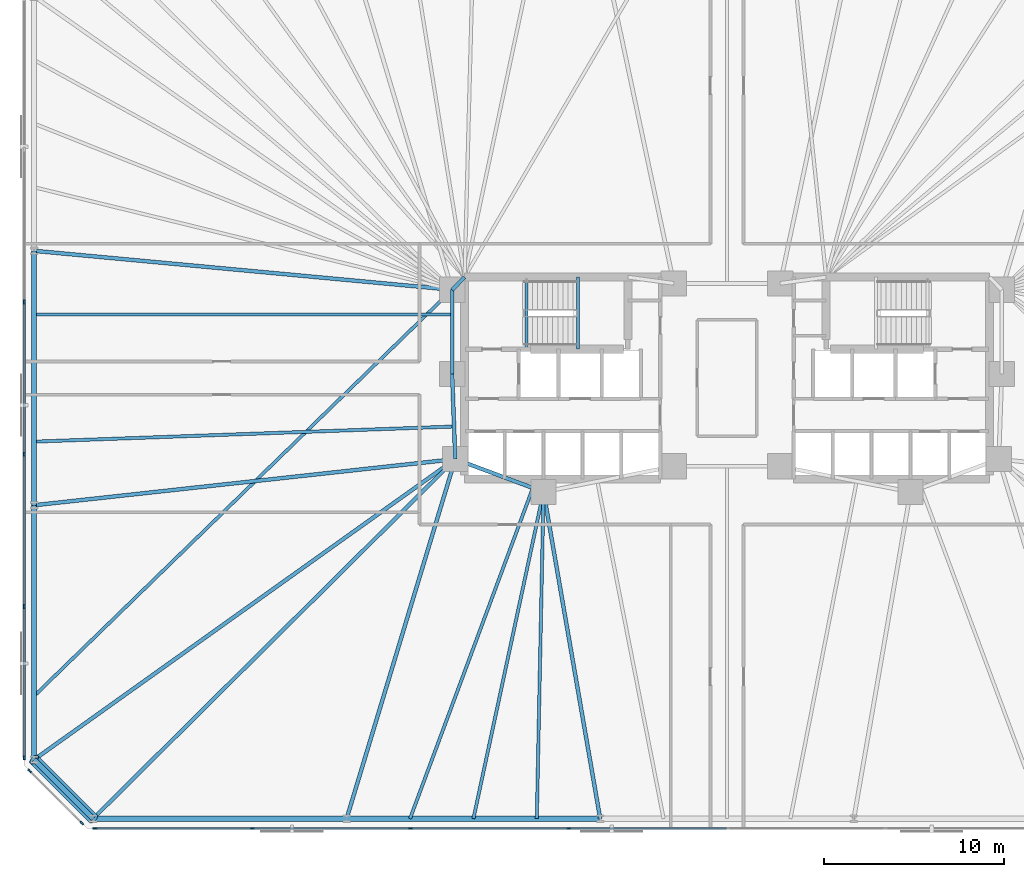
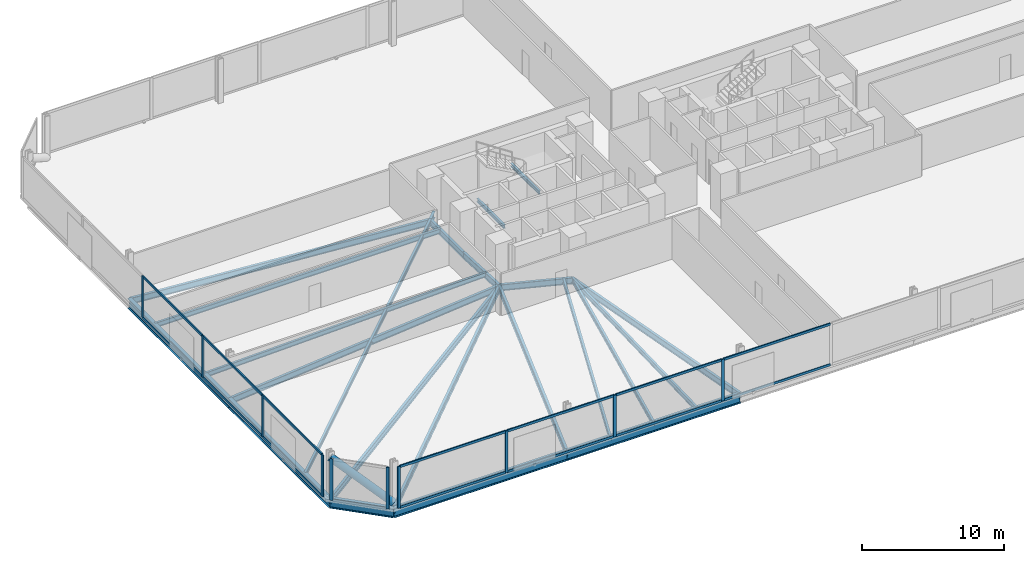
# One storey, part 6 of 16: 25 members, 23 beams, 3 elements without a shape of their own.
"""IFC4 building model written with IfcOpenShell, lengths in metres."""

from ifc_helpers import new_model, si_unit, direction, frame, origin, origin_2d, place, context, subcontext, project, spatial, rectangle, hollow_circle, i_section, extrude, material, material_profile, profile_set, type_object, element, aggregate, save


model = new_model("IFC4")

# Units and contexts
model_context = context("Model", 3, precision=1e-05, world=origin(), true_north=direction((0.0, 1.0)))
body_context = subcontext(model_context, "Body", "Model", "MODEL_VIEW")
ifc_project = project(units=[si_unit("LENGTHUNIT", "METRE"), si_unit("AREAUNIT", "SQUARE_METRE"), si_unit("VOLUMEUNIT", "CUBIC_METRE"), si_unit("PLANEANGLEUNIT", "RADIAN"), si_unit("MASSUNIT", "GRAM", prefix="KILO")], contexts=[model_context])

# Site, building, storey
site_placement = place(None, origin())
site = spatial("IfcSite", under=ifc_project, at=site_placement, CompositionType="ELEMENT")
building_placement = place(site_placement, origin())
building = spatial("IfcBuilding", under=site, at=building_placement, Name="Menara Jurai Vektor", CompositionType="ELEMENT")
storey_placement = place(building_placement, frame((0.0, 0.0, 40.800048828125)))
storey = spatial("IfcBuildingStorey", under=building, at=storey_placement, Name="L09", CompositionType="ELEMENT", Elevation=40.800048828125)

# Curtain wall, members
ifc_material_1 = material(Name="Anodised Pale Aluminium & Low-E Double Glazing", Category="aluminium")
curtain_wall_type = type_object("IfcCurtainWallType", Name="CW-BLK1", PredefinedType="NOTDEFINED", material=ifc_material_1)
curtain_wall_1_placement = place(storey_placement, origin())
curtain_wall_1 = element("IfcCurtainWall", 1, at=curtain_wall_1_placement, inside=storey, type_object=curtain_wall_type, Name="Unitised Curtain Wall L09 F01", PredefinedType="NOTDEFINED")
ifc_material_2 = material(Name="Anodised Pale Aluminium Mullion", Category="aluminium")
ifc_material_profile_1 = material_profile(ifc_material_2, rectangle(XDim=0.094970703125, YDim=0.239990234375, at=origin_2d()), Name="ALU MUL 95x240")
ifc_profile_set_1 = profile_set([ifc_material_profile_1], Name="Anodised Pale Aluminium Mullion")
member_type_1 = type_object("IfcMemberType", Name="CW-BLK1-MUL", PredefinedType="MULLION", material=ifc_profile_set_1)
member_1_placement = place(storey_placement, frame((-35.072509765625, -25.0, 0.0), z_axis=(0.0, 0.0, 1.0), x_axis=(0.0, 1.0, 0.0)))
member_1 = element("IfcMember", 2, at=member_1_placement, type_object=member_type_1, Name="CW-01 mullion 1", PredefinedType="MULLION", context=body_context, shape_type="SweptSolid", body=[
    extrude(rectangle(XDim=0.094970703125, YDim=0.239990234375, at=origin_2d()), origin(), (0.0, 0.0, 1.0), 3.574951171875),
])
member_2_placement = place(storey_placement, frame((-26.340087890625, -25.0, 0.0), z_axis=(0.0, 0.0, 1.0), x_axis=(0.0, 1.0, 0.0)))
member_2 = element("IfcMember", 3, at=member_2_placement, type_object=member_type_1, Name="CW-01 mullion 2", PredefinedType="MULLION", context=body_context, shape_type="SweptSolid", body=[
    extrude(rectangle(XDim=0.094970703125, YDim=0.239990234375, at=origin_2d()), origin(), (0.0, 0.0, 1.0), 3.574951171875),
])
member_3_placement = place(storey_placement, frame((-17.56005859375, -25.0, 0.0), z_axis=(0.0, 0.0, 1.0), x_axis=(0.0, 1.0, 0.0)))
member_3 = element("IfcMember", 4, at=member_3_placement, type_object=member_type_1, Name="CW-01 mullion 3", PredefinedType="MULLION", context=body_context, shape_type="SweptSolid", body=[
    extrude(rectangle(XDim=0.094970703125, YDim=0.239990234375, at=origin_2d()), origin(), (0.0, 0.0, 1.0), 3.574951171875),
])
member_4_placement = place(storey_placement, frame((-8.780029296875, -25.0, 0.0), z_axis=(0.0, 0.0, 1.0), x_axis=(0.0, 1.0, 0.0)))
member_4 = element("IfcMember", 5, at=member_4_placement, type_object=member_type_1, Name="CW-01 mullion 4", PredefinedType="MULLION", context=body_context, shape_type="SweptSolid", body=[
    extrude(rectangle(XDim=0.094970703125, YDim=0.239990234375, at=origin_2d()), origin(), (0.0, 0.0, 1.0), 3.574951171875),
])

curtain_wall_2_placement = place(storey_placement, origin())
curtain_wall_2 = element("IfcCurtainWall", 6, at=curtain_wall_2_placement, inside=storey, type_object=curtain_wall_type, Name="Unitised Curtain Wall L09 F07", PredefinedType="NOTDEFINED")
member_5_placement = place(storey_placement, frame((-39.0, 4.22412109375, 0.0), z_axis=(0.0, 0.0, 1.0), x_axis=(1.0, 0.0, 0.0)))
member_5 = element("IfcMember", 7, at=member_5_placement, type_object=member_type_1, Name="CW-01 mullion 3", PredefinedType="MULLION", context=body_context, shape_type="SweptSolid", body=[
    extrude(rectangle(XDim=0.094970703125, YDim=0.239990234375, at=origin_2d()), origin(), (0.0, 0.0, 1.0), 3.574951171875),
])
member_6_placement = place(storey_placement, frame((-39.0, -4.22412109375, 0.0), z_axis=(0.0, 0.0, 1.0), x_axis=(1.0, 0.0, 0.0)))
member_6 = element("IfcMember", 8, at=member_6_placement, type_object=member_type_1, Name="CW-01 mullion 4", PredefinedType="MULLION", context=body_context, shape_type="SweptSolid", body=[
    extrude(rectangle(XDim=0.094970703125, YDim=0.239990234375, at=origin_2d()), origin(), (0.0, 0.0, 1.0), 3.574951171875),
])
member_7_placement = place(storey_placement, frame((-39.0, -12.672119140625, 0.0), z_axis=(0.0, 0.0, 1.0), x_axis=(1.0, 0.0, 0.0)))
member_7 = element("IfcMember", 9, at=member_7_placement, type_object=member_type_1, Name="CW-01 mullion 5", PredefinedType="MULLION", context=body_context, shape_type="SweptSolid", body=[
    extrude(rectangle(XDim=0.094970703125, YDim=0.239990234375, at=origin_2d()), origin(), (0.0, 0.0, 1.0), 3.574951171875),
])
member_8_placement = place(storey_placement, frame((-39.0, -21.072509765625, 0.0), z_axis=(0.0, 0.0, 1.0), x_axis=(1.0, 0.0, 0.0)))
member_8 = element("IfcMember", 10, at=member_8_placement, type_object=member_type_1, Name="CW-01 mullion 6", PredefinedType="MULLION", context=body_context, shape_type="SweptSolid", body=[
    extrude(rectangle(XDim=0.094970703125, YDim=0.239990234375, at=origin_2d()), origin(), (0.0, 0.0, 1.0), 3.574951171875),
])

curtain_wall_3_placement = place(storey_placement, origin())
curtain_wall_3 = element("IfcCurtainWall", 11, at=curtain_wall_3_placement, inside=storey, type_object=curtain_wall_type, Name="Unitised Curtain Wall L09 F08", PredefinedType="NOTDEFINED")
member_9_placement = place(storey_placement, frame((-38.69775390625, -21.80224609375, 0.0), z_axis=(0.0, 0.0, 1.0), x_axis=(0.707106781187, 0.707106781187, 0.0)))
member_9 = element("IfcMember", 12, at=member_9_placement, type_object=member_type_1, Name="CW-01 mullion 1", PredefinedType="MULLION", context=body_context, shape_type="SweptSolid", body=[
    extrude(rectangle(XDim=0.094970703125, YDim=0.239990234375, at=origin_2d()), origin(), (0.0, 0.0, 1.0), 3.574951171875),
])
member_10_placement = place(storey_placement, frame((-35.80224609375, -24.69775390625, 0.0), z_axis=(0.0, 0.0, 1.0), x_axis=(0.707106781187, 0.707106781187, 0.0)))
member_10 = element("IfcMember", 13, at=member_10_placement, type_object=member_type_1, Name="CW-01 mullion 2", PredefinedType="MULLION", context=body_context, shape_type="SweptSolid", body=[
    extrude(rectangle(XDim=0.094970703125, YDim=0.239990234375, at=origin_2d()), origin(), (0.0, 0.0, 1.0), 3.574951171875),
])
aggregate(curtain_wall_3, [member_9, member_10])

# Member
ifc_material_3 = material(Name="Anodised Pale Aluminium Transom", Category="aluminium")
ifc_material_profile_2 = material_profile(ifc_material_3, rectangle(XDim=0.094970703125, YDim=0.199951171875, at=origin_2d()), Name="ALU TRN 95x200")
ifc_profile_set_2 = profile_set([ifc_material_profile_2], Name="Anodised Pale Aluminium Transom")
member_type_2 = type_object("IfcMemberType", Name="CW-BLK1-TRN", PredefinedType="USERDEFINED", material=ifc_profile_set_2)
member_11_placement = place(storey_placement, frame((-35.02490234375, -25.0, 0.04736328125), z_axis=(1.0, 0.0, 0.0), x_axis=(0.0, 1.0, 0.0)))
member_11 = element("IfcMember", 14, at=member_11_placement, type_object=member_type_2, Name="CW-01 transom 1.1", ObjectType="TRANSOM", PredefinedType="USERDEFINED", context=body_context, shape_type="SweptSolid", body=[
    extrude(rectangle(XDim=0.094970703125, YDim=0.199951171875, at=origin_2d()), origin(), (0.0, 0.0, 1.0), 8.637451171875),
])

member_12_placement = place(storey_placement, frame((-35.02490234375, -25.0, 3.52734375), z_axis=(1.0, 0.0, 0.0), x_axis=(0.0, 1.0, 0.0)))
member_12 = element("IfcMember", 15, at=member_12_placement, type_object=member_type_2, Name="CW-01 transom 1.2", ObjectType="TRANSOM", PredefinedType="USERDEFINED", context=body_context, shape_type="SweptSolid", body=[
    extrude(rectangle(XDim=0.094970703125, YDim=0.199951171875, at=origin_2d()), origin(), (0.0, 0.0, 1.0), 8.637451171875),
])

member_13_placement = place(storey_placement, frame((-26.29248046875, -25.0, 0.04736328125), z_axis=(1.0, 0.0, 0.0), x_axis=(0.0, 1.0, 0.0)))
member_13 = element("IfcMember", 16, at=member_13_placement, type_object=member_type_2, Name="CW-01 transom 2.1", ObjectType="TRANSOM", PredefinedType="USERDEFINED", context=body_context, shape_type="SweptSolid", body=[
    extrude(rectangle(XDim=0.094970703125, YDim=0.199951171875, at=origin_2d()), origin(), (0.0, 0.0, 1.0), 8.68505859375),
])

member_14_placement = place(storey_placement, frame((-26.29248046875, -25.0, 3.52734375), z_axis=(1.0, 0.0, 0.0), x_axis=(0.0, 1.0, 0.0)))
member_14 = element("IfcMember", 17, at=member_14_placement, type_object=member_type_2, Name="CW-01 transom 2.2", ObjectType="TRANSOM", PredefinedType="USERDEFINED", context=body_context, shape_type="SweptSolid", body=[
    extrude(rectangle(XDim=0.094970703125, YDim=0.199951171875, at=origin_2d()), origin(), (0.0, 0.0, 1.0), 8.68505859375),
])

member_15_placement = place(storey_placement, frame((-17.512451171875, -25.0, 0.04736328125), z_axis=(1.0, 0.0, 0.0), x_axis=(0.0, 1.0, 0.0)))
member_15 = element("IfcMember", 18, at=member_15_placement, type_object=member_type_2, Name="CW-01 transom 3.1", ObjectType="TRANSOM", PredefinedType="USERDEFINED", context=body_context, shape_type="SweptSolid", body=[
    extrude(rectangle(XDim=0.094970703125, YDim=0.199951171875, at=origin_2d()), origin(), (0.0, 0.0, 1.0), 8.68505859375),
])

member_16_placement = place(storey_placement, frame((-17.512451171875, -25.0, 3.52734375), z_axis=(1.0, 0.0, 0.0), x_axis=(0.0, 1.0, 0.0)))
member_16 = element("IfcMember", 19, at=member_16_placement, type_object=member_type_2, Name="CW-01 transom 3.2", ObjectType="TRANSOM", PredefinedType="USERDEFINED", context=body_context, shape_type="SweptSolid", body=[
    extrude(rectangle(XDim=0.094970703125, YDim=0.199951171875, at=origin_2d()), origin(), (0.0, 0.0, 1.0), 8.68505859375),
])

member_17_placement = place(storey_placement, frame((-8.732421875, -25.0, 0.04736328125), z_axis=(1.0, 0.0, 0.0), x_axis=(0.0, 1.0, 0.0)))
member_17 = element("IfcMember", 20, at=member_17_placement, type_object=member_type_2, Name="CW-01 transom 4.1", ObjectType="TRANSOM", PredefinedType="USERDEFINED", context=body_context, shape_type="SweptSolid", body=[
    extrude(rectangle(XDim=0.094970703125, YDim=0.199951171875, at=origin_2d()), origin(), (0.0, 0.0, 1.0), 8.684814453125),
])

member_18_placement = place(storey_placement, frame((-8.732421875, -25.0, 3.52734375), z_axis=(1.0, 0.0, 0.0), x_axis=(0.0, 1.0, 0.0)))
member_18 = element("IfcMember", 21, at=member_18_placement, type_object=member_type_2, Name="CW-01 transom 4.2", ObjectType="TRANSOM", PredefinedType="USERDEFINED", context=body_context, shape_type="SweptSolid", body=[
    extrude(rectangle(XDim=0.094970703125, YDim=0.199951171875, at=origin_2d()), origin(), (0.0, 0.0, 1.0), 8.684814453125),
])

aggregate(curtain_wall_1, [member_1, member_2, member_3, member_4, member_11, member_12, member_13, member_14, member_15, member_16, member_17, member_18])

member_19_placement = place(storey_placement, frame((-39.0, 4.176513671875, 0.04736328125), z_axis=(0.0, -1.0, 0.0), x_axis=(1.0, 0.0, 0.0)))
member_19 = element("IfcMember", 22, at=member_19_placement, type_object=member_type_2, Name="CW-01 transom 3.1", ObjectType="TRANSOM", PredefinedType="USERDEFINED", context=body_context, shape_type="SweptSolid", body=[
    extrude(rectangle(XDim=0.094970703125, YDim=0.199951171875, at=origin_2d()), origin(), (0.0, 0.0, 1.0), 8.35302734375),
])

member_20_placement = place(storey_placement, frame((-39.0, 4.176513671875, 3.52734375), z_axis=(0.0, -1.0, 0.0), x_axis=(1.0, 0.0, 0.0)))
member_20 = element("IfcMember", 23, at=member_20_placement, type_object=member_type_2, Name="CW-01 transom 3.2", ObjectType="TRANSOM", PredefinedType="USERDEFINED", context=body_context, shape_type="SweptSolid", body=[
    extrude(rectangle(XDim=0.094970703125, YDim=0.199951171875, at=origin_2d()), origin(), (0.0, 0.0, 1.0), 8.35302734375),
])

member_21_placement = place(storey_placement, frame((-39.0, -4.271484375, 0.04736328125), z_axis=(0.0, -1.0, 0.0), x_axis=(1.0, 0.0, 0.0)))
member_21 = element("IfcMember", 24, at=member_21_placement, type_object=member_type_2, Name="CW-01 transom 4.1", ObjectType="TRANSOM", PredefinedType="USERDEFINED", context=body_context, shape_type="SweptSolid", body=[
    extrude(rectangle(XDim=0.094970703125, YDim=0.199951171875, at=origin_2d()), origin(), (0.0, 0.0, 1.0), 8.35302734375),
])

member_22_placement = place(storey_placement, frame((-39.0, -4.271484375, 3.52734375), z_axis=(0.0, -1.0, 0.0), x_axis=(1.0, 0.0, 0.0)))
member_22 = element("IfcMember", 25, at=member_22_placement, type_object=member_type_2, Name="CW-01 transom 4.2", ObjectType="TRANSOM", PredefinedType="USERDEFINED", context=body_context, shape_type="SweptSolid", body=[
    extrude(rectangle(XDim=0.094970703125, YDim=0.199951171875, at=origin_2d()), origin(), (0.0, 0.0, 1.0), 8.35302734375),
])

member_23_placement = place(storey_placement, frame((-39.0, -12.719482421875, 0.04736328125), z_axis=(0.0, -1.0, 0.0), x_axis=(1.0, 0.0, 0.0)))
member_23 = element("IfcMember", 26, at=member_23_placement, type_object=member_type_2, Name="CW-01 transom 5.1", ObjectType="TRANSOM", PredefinedType="USERDEFINED", context=body_context, shape_type="SweptSolid", body=[
    extrude(rectangle(XDim=0.094970703125, YDim=0.199951171875, at=origin_2d()), origin(), (0.0, 0.0, 1.0), 8.305419921875),
])

member_24_placement = place(storey_placement, frame((-39.0, -12.719482421875, 3.52734375), z_axis=(0.0, -1.0, 0.0), x_axis=(1.0, 0.0, 0.0)))
member_24 = element("IfcMember", 27, at=member_24_placement, type_object=member_type_2, Name="CW-01 transom 5.2", ObjectType="TRANSOM", PredefinedType="USERDEFINED", context=body_context, shape_type="SweptSolid", body=[
    extrude(rectangle(XDim=0.094970703125, YDim=0.199951171875, at=origin_2d()), origin(), (0.0, 0.0, 1.0), 8.305419921875),
])

aggregate(curtain_wall_2, [member_5, member_6, member_7, member_8, member_19, member_20, member_21, member_22, member_23, member_24])

# Beams
ifc_material_4 = material(Name="Steel S355", Category="steel")
ifc_material_profile_3 = material_profile(ifc_material_4, i_section(OverallWidth=0.2109375, OverallDepth=0.5390625, WebThickness=0.011962890625, FlangeThickness=0.01904296875, FilletRadius=0.012939453125, at=origin_2d()), Name="UKB 533x210x109")
ifc_profile_set_3 = profile_set([ifc_material_profile_3], Name="Steel S355")
beam_type_1 = type_object("IfcBeamType", Name="STR-BM-533", PredefinedType="BEAM", material=ifc_profile_set_3)
beam_1_placement = place(storey_placement, frame((-15.25, 4.89990234375, -0.49462890625), z_axis=(0.701871936926, 0.712303154672, 0.0), x_axis=(-0.712303154672, 0.701871936926, 0.0)))
element("IfcBeam", 28, at=beam_1_placement, inside=storey, type_object=beam_type_1, Name="Core Ring Header Girder L09-CHW-N1", PredefinedType="BEAM", context=body_context, shape_type="SweptSolid", body=[
    extrude(i_section(OverallWidth=0.2109375, OverallDepth=0.5390625, WebThickness=0.011962890625, FlangeThickness=0.01904296875, FilletRadius=0.012939453125, at=origin_2d()), origin(), (0.0, 0.0, 1.0), 0.98291015625),
])
beam_2_placement = place(storey_placement, frame((-15.25, 0.219970703125, -0.49462890625), z_axis=(0.0, 1.0, 0.0), x_axis=(-1.0, 0.0, 0.0)))
element("IfcBeam", 29, at=beam_2_placement, inside=storey, type_object=beam_type_1, Name="Core Ring Header Girder L09-CHW-W1", PredefinedType="BEAM", context=body_context, shape_type="SweptSolid", body=[
    extrude(i_section(OverallWidth=0.2109375, OverallDepth=0.5390625, WebThickness=0.011962890625, FlangeThickness=0.01904296875, FilletRadius=0.012939453125, at=origin_2d()), origin(), (0.0, 0.0, 1.0), 4.679931640625),
])
beam_3_placement = place(storey_placement, frame((-15.080078125, -4.5, -0.49462890625), z_axis=(-0.035977314146, 0.999352606874, 0.0), x_axis=(-0.999352606874, -0.035977314146, 0.0)))
element("IfcBeam", 30, at=beam_3_placement, inside=storey, type_object=beam_type_1, Name="Core Ring Header Girder L09-CHW-W2", PredefinedType="BEAM", context=body_context, shape_type="SweptSolid", body=[
    extrude(i_section(OverallWidth=0.2109375, OverallDepth=0.5390625, WebThickness=0.011962890625, FlangeThickness=0.01904296875, FilletRadius=0.012939453125, at=origin_2d()), origin(), (0.0, 0.0, 1.0), 4.72314453125),
])
beam_4_placement = place(storey_placement, frame((-15.080078125, -4.5, -0.49462890625), z_axis=(0.937424400887, -0.348188874925, 0.0), x_axis=(0.348188874925, 0.937424400887, 0.0)))
element("IfcBeam", 31, at=beam_4_placement, inside=storey, type_object=beam_type_1, Name="Core Ring Header Girder L09-CHW-S1", PredefinedType="BEAM", context=body_context, shape_type="SweptSolid", body=[
    extrude(i_section(OverallWidth=0.2109375, OverallDepth=0.5390625, WebThickness=0.011962890625, FlangeThickness=0.01904296875, FilletRadius=0.012939453125, at=origin_2d()), origin(), (0.0, 0.0, 1.0), 5.227294921875),
])
beam_5_placement = place(storey_placement, frame((-35.177734375, -24.449951171875, -0.49462890625), z_axis=(0.709709931659, 0.704494011972, 0.0), x_axis=(-0.704494011972, 0.709709931659, 0.0)))
element("IfcBeam", 32, at=beam_5_placement, inside=storey, type_object=beam_type_1, Name="Radial Floor Girder L09-S1", PredefinedType="BEAM", context=body_context, shape_type="SweptSolid", body=[
    extrude(i_section(OverallWidth=0.2109375, OverallDepth=0.5390625, WebThickness=0.011962890625, FlangeThickness=0.01904296875, FilletRadius=0.012939453125, at=origin_2d()), origin(), (0.0, 0.0, 1.0), 28.318115234375),
])
beam_6_placement = place(storey_placement, frame((-21.106689453125, -24.449951171875, -0.49462890625), z_axis=(0.289179812203, 0.957274796604, 0.0), x_axis=(-0.957274796604, 0.289179812203, 0.0)))
element("IfcBeam", 33, at=beam_6_placement, inside=storey, type_object=beam_type_1, Name="Radial Floor Girder L09-S2", PredefinedType="BEAM", context=body_context, shape_type="SweptSolid", body=[
    extrude(i_section(OverallWidth=0.2109375, OverallDepth=0.5390625, WebThickness=0.011962890625, FlangeThickness=0.01904296875, FilletRadius=0.012939453125, at=origin_2d()), origin(), (0.0, 0.0, 1.0), 20.84033203125),
])
beam_7_placement = place(storey_placement, frame((-7.03564453125, -24.449951171875, -0.49462890625), z_axis=(-0.170880325642, 0.985291791455, 0.0), x_axis=(-0.985291791455, -0.170880325642, 0.0)))
element("IfcBeam", 34, at=beam_7_placement, inside=storey, type_object=beam_type_1, Name="Radial Floor Girder L09-S3", PredefinedType="BEAM", context=body_context, shape_type="SweptSolid", body=[
    extrude(i_section(OverallWidth=0.2109375, OverallDepth=0.5390625, WebThickness=0.011962890625, FlangeThickness=0.01904296875, FilletRadius=0.012939453125, at=origin_2d()), origin(), (0.0, 0.0, 1.0), 18.400634765625),
])
beam_8_placement = place(storey_placement, frame((-38.449951171875, 7.059326171875, -0.49462890625), z_axis=(0.995696113112, -0.092678208514, 0.0), x_axis=(0.092678208514, 0.995696113112, 0.0)))
element("IfcBeam", 35, at=beam_8_placement, inside=storey, type_object=beam_type_1, Name="Radial Floor Girder L09-W2", PredefinedType="BEAM", context=body_context, shape_type="SweptSolid", body=[
    extrude(i_section(OverallWidth=0.2109375, OverallDepth=0.5390625, WebThickness=0.011962890625, FlangeThickness=0.01904296875, FilletRadius=0.012939453125, at=origin_2d()), origin(), (0.0, 0.0, 1.0), 23.30029296875),
])
beam_9_placement = place(storey_placement, frame((-38.449951171875, -7.059326171875, -0.49462890625), z_axis=(0.994056757953, 0.108863042253, 0.0), x_axis=(-0.108863042253, 0.994056757953, 0.0)))
element("IfcBeam", 36, at=beam_9_placement, inside=storey, type_object=beam_type_1, Name="Radial Floor Girder L09-W3", PredefinedType="BEAM", context=body_context, shape_type="SweptSolid", body=[
    extrude(i_section(OverallWidth=0.2109375, OverallDepth=0.5390625, WebThickness=0.011962890625, FlangeThickness=0.01904296875, FilletRadius=0.012939453125, at=origin_2d()), origin(), (0.0, 0.0, 1.0), 23.509521484375),
])
beam_10_placement = place(storey_placement, frame((-38.449951171875, -21.177734375, -0.49462890625), z_axis=(0.813981033216, 0.580891450759, 0.0), x_axis=(-0.580891450759, 0.813981033216, 0.0)))
element("IfcBeam", 37, at=beam_10_placement, inside=storey, type_object=beam_type_1, Name="Radial Floor Girder L09-W4", PredefinedType="BEAM", context=body_context, shape_type="SweptSolid", body=[
    extrude(i_section(OverallWidth=0.2109375, OverallDepth=0.5390625, WebThickness=0.011962890625, FlangeThickness=0.01904296875, FilletRadius=0.012939453125, at=origin_2d()), origin(), (0.0, 0.0, 1.0), 28.710693359375),
])

# Member
ifc_material_5 = material(Name="Steel S460", Category="steel")
ifc_material_profile_4 = material_profile(ifc_material_5, hollow_circle(Radius=0.304931640625, WallThickness=0.02490234375, at=origin_2d()), Name="CHS 610x25")
ifc_profile_set_4 = profile_set([ifc_material_profile_4], Name="Steel S460")
member_type_3 = type_object("IfcMemberType", Name="STR-BR-610", PredefinedType="BRACE", material=ifc_profile_set_4)
member_25_placement = place(storey_placement, frame((-35.177734375, -24.449951171875, 0.14990234375), z_axis=(-0.588942422958, 0.588942422958, 0.553438022619), x_axis=(-0.707106781187, -0.707106781187, 0.0)))
element("IfcMember", 38, at=member_25_placement, inside=storey, type_object=member_type_3, Name="Exoskeleton Corner Brace L09-4", PredefinedType="BRACE", context=body_context, shape_type="SweptSolid", body=[
    extrude(hollow_circle(Radius=0.304931640625, WallThickness=0.02490234375, at=origin_2d()), origin(), (0.0, 0.0, 1.0), 5.55615234375),
])

# Beams
ifc_material_profile_5 = material_profile(ifc_material_4, i_section(OverallWidth=0.178955078125, OverallDepth=0.408935546875, WebThickness=0.009033203125, FlangeThickness=0.013916015625, FilletRadius=0.010009765625, at=origin_2d()), Name="UKB 406x178x67")
ifc_profile_set_5 = profile_set([ifc_material_profile_5], Name="Steel S355")
beam_type_2 = type_object("IfcBeamType", Name="STR-JS-406", PredefinedType="JOIST", material=ifc_profile_set_5)
beam_11_placement = place(storey_placement, frame((-17.5888671875, -24.449951171875, -0.429443359375), z_axis=(0.348179014223, 0.937428063403, 0.0), x_axis=(-0.937428063403, 0.348179014223, 0.0)))
element("IfcBeam", 39, at=beam_11_placement, inside=storey, type_object=beam_type_2, Name="Radial Secondary Floor Joist L09-JS01", PredefinedType="JOIST", context=body_context, shape_type="SweptSolid", body=[
    extrude(i_section(OverallWidth=0.178955078125, OverallDepth=0.408935546875, WebThickness=0.009033203125, FlangeThickness=0.013916015625, FilletRadius=0.010009765625, at=origin_2d()), origin(), (0.0, 0.0, 1.0), 19.5751953125),
])
beam_12_placement = place(storey_placement, frame((-14.071044921875, -24.449951171875, -0.429443359375), z_axis=(0.209845584412, 0.977734539997, 0.0), x_axis=(-0.977734539997, 0.209845584412, 0.0)))
element("IfcBeam", 40, at=beam_12_placement, inside=storey, type_object=beam_type_2, Name="Radial Secondary Floor Joist L09-JS02", PredefinedType="JOIST", context=body_context, shape_type="SweptSolid", body=[
    extrude(i_section(OverallWidth=0.178955078125, OverallDepth=0.408935546875, WebThickness=0.009033203125, FlangeThickness=0.013916015625, FilletRadius=0.010009765625, at=origin_2d()), origin(), (0.0, 0.0, 1.0), 18.542724609375),
])
beam_13_placement = place(storey_placement, frame((-10.55322265625, -24.449951171875, -0.429443359375), z_axis=(0.020585456509, 0.999788097039, 0.0), x_axis=(-0.999788097039, 0.020585456509, 0.0)))
element("IfcBeam", 41, at=beam_13_placement, inside=storey, type_object=beam_type_2, Name="Radial Secondary Floor Joist L09-JS03", PredefinedType="JOIST", context=body_context, shape_type="SweptSolid", body=[
    extrude(i_section(OverallWidth=0.178955078125, OverallDepth=0.408935546875, WebThickness=0.009033203125, FlangeThickness=0.013916015625, FilletRadius=0.010009765625, at=origin_2d()), origin(), (0.0, 0.0, 1.0), 18.1337890625),
])
beam_14_placement = place(storey_placement, frame((-38.449951171875, 3.529541015625, -0.429443359375), z_axis=(1.0, 0.0, 0.0), x_axis=(0.0, 1.0, 0.0)))
element("IfcBeam", 42, at=beam_14_placement, inside=storey, type_object=beam_type_2, Name="Radial Secondary Floor Joist L09-JS35", PredefinedType="JOIST", context=body_context, shape_type="SweptSolid", body=[
    extrude(i_section(OverallWidth=0.178955078125, OverallDepth=0.408935546875, WebThickness=0.009033203125, FlangeThickness=0.013916015625, FilletRadius=0.010009765625, at=origin_2d()), origin(), (0.0, 0.0, 1.0), 23.199951171875),
])
beam_15_placement = place(storey_placement, frame((-38.449951171875, -3.529541015625, -0.429443359375), z_axis=(0.999352032814, 0.035993256462, 0.0), x_axis=(-0.035993256462, 0.999352032814, 0.0)))
element("IfcBeam", 43, at=beam_15_placement, inside=storey, type_object=beam_type_2, Name="Radial Secondary Floor Joist L09-JS36", PredefinedType="JOIST", context=body_context, shape_type="SweptSolid", body=[
    extrude(i_section(OverallWidth=0.178955078125, OverallDepth=0.408935546875, WebThickness=0.009033203125, FlangeThickness=0.013916015625, FilletRadius=0.010009765625, at=origin_2d()), origin(), (0.0, 0.0, 1.0), 23.31982421875),
])
beam_16_placement = place(storey_placement, frame((-38.449951171875, -17.648193359375, -0.429443359375), z_axis=(0.71710942187, 0.696960599363, 0.0), x_axis=(-0.696960599363, 0.71710942187, 0.0)))
element("IfcBeam", 44, at=beam_16_placement, inside=storey, type_object=beam_type_2, Name="Radial Secondary Floor Joist L09-JS37", PredefinedType="JOIST", context=body_context, shape_type="SweptSolid", body=[
    extrude(i_section(OverallWidth=0.178955078125, OverallDepth=0.408935546875, WebThickness=0.009033203125, FlangeThickness=0.013916015625, FilletRadius=0.010009765625, at=origin_2d()), origin(), (0.0, 0.0, 1.0), 32.35205078125),
])
ifc_material_profile_6 = material_profile(ifc_material_4, i_section(OverallWidth=0.1650390625, OverallDepth=0.302978515625, WebThickness=0.006103515625, FlangeThickness=0.010009765625, FilletRadius=0.009033203125, at=origin_2d()), Name="UKB 305x165x40")
ifc_profile_set_6 = profile_set([ifc_material_profile_6], Name="Steel S355")
beam_type_3 = type_object("IfcBeamType", Name="STR-LN-305", PredefinedType="LINTEL", material=ifc_profile_set_6)
beam_17_placement = place(storey_placement, frame((-11.1201171875, 1.60009765625, -0.37646484375), z_axis=(0.0, 1.0, 0.0), x_axis=(-1.0, 0.0, 0.0)))
element("IfcBeam", 45, at=beam_17_placement, inside=storey, type_object=beam_type_3, Name="Stair Well Floor Trimmer ST1 L09", PredefinedType="LINTEL", context=body_context, shape_type="SweptSolid", body=[
    extrude(i_section(OverallWidth=0.1650390625, OverallDepth=0.302978515625, WebThickness=0.006103515625, FlangeThickness=0.010009765625, FilletRadius=0.009033203125, at=origin_2d()), origin(), (0.0, 0.0, 1.0), 3.81982421875),
])
beam_18_placement = place(storey_placement, frame((-8.27001953125, 1.60009765625, 1.54833984375), z_axis=(0.0, 1.0, 0.0), x_axis=(-1.0, 0.0, 0.0)))
element("IfcBeam", 46, at=beam_18_placement, inside=storey, type_object=beam_type_3, Name="Stair Half-Landing Nosing Trimmer ST1-1 L09", PredefinedType="LINTEL", context=body_context, shape_type="SweptSolid", body=[
    extrude(i_section(OverallWidth=0.1650390625, OverallDepth=0.302978515625, WebThickness=0.006103515625, FlangeThickness=0.010009765625, FilletRadius=0.009033203125, at=origin_2d()), origin(), (0.0, 0.0, 1.0), 4.0),
])
ifc_material_profile_7 = material_profile(ifc_material_5, i_section(OverallWidth=0.2939453125, OverallDepth=0.85107421875, WebThickness=0.01611328125, FlangeThickness=0.027099609375, FilletRadius=0.01806640625, at=origin_2d()), Name="UKB 838x292x226")
ifc_profile_set_7 = profile_set([ifc_material_profile_7], Name="Steel S460")
beam_type_4 = type_object("IfcBeamType", Name="STR-SP-838", PredefinedType="SPANDREL", material=ifc_profile_set_7)
for number, where, z_axis, x_axis, name in (
    (47, (-35.177734375, -24.449951171875, -0.650634765625), (1.0, 0.0, 0.0), (0.0, 1.0, 0.0), "Exoskeleton Spandrel Beam L09-01"),
    (48, (-21.106689453125, -24.449951171875, -0.650634765625), (1.0, 0.0, 0.0), (0.0, 1.0, 0.0), "Exoskeleton Spandrel Beam L09-02"),
):
    element("IfcBeam", number, at=place(storey_placement, frame(where, z_axis=z_axis, x_axis=x_axis)), inside=storey, type_object=beam_type_4, Name=name, PredefinedType="SPANDREL", context=body_context, shape_type="SweptSolid", body=[
        extrude(i_section(OverallWidth=0.2939453125, OverallDepth=0.85107421875, WebThickness=0.01611328125, FlangeThickness=0.027099609375, FilletRadius=0.01806640625, at=origin_2d()), origin(), (0.0, 0.0, 1.0), 14.071044921875),
    ])
beam_19_placement = place(storey_placement, frame((-38.449951171875, 7.059326171875, -0.650634765625), z_axis=(0.0, -1.0, 0.0), x_axis=(1.0, 0.0, 0.0)))
element("IfcBeam", 49, at=beam_19_placement, inside=storey, type_object=beam_type_4, Name="Exoskeleton Spandrel Beam L09-18", PredefinedType="SPANDREL", context=body_context, shape_type="SweptSolid", body=[
    extrude(i_section(OverallWidth=0.2939453125, OverallDepth=0.85107421875, WebThickness=0.01611328125, FlangeThickness=0.027099609375, FilletRadius=0.01806640625, at=origin_2d()), origin(), (0.0, 0.0, 1.0), 14.11865234375),
])
beam_20_placement = place(storey_placement, frame((-38.449951171875, -7.059326171875, -0.650634765625), z_axis=(0.0, -1.0, 0.0), x_axis=(1.0, 0.0, 0.0)))
element("IfcBeam", 50, at=beam_20_placement, inside=storey, type_object=beam_type_4, Name="Exoskeleton Spandrel Beam L09-19", PredefinedType="SPANDREL", context=body_context, shape_type="SweptSolid", body=[
    extrude(i_section(OverallWidth=0.2939453125, OverallDepth=0.85107421875, WebThickness=0.01611328125, FlangeThickness=0.027099609375, FilletRadius=0.01806640625, at=origin_2d()), origin(), (0.0, 0.0, 1.0), 14.118408203125),
])
beam_21_placement = place(storey_placement, frame((-38.449951171875, -21.177734375, -0.650634765625), z_axis=(0.707106781187, -0.707106781187, 0.0), x_axis=(0.707106781187, 0.707106781187, 0.0)))
element("IfcBeam", 51, at=beam_21_placement, inside=storey, type_object=beam_type_4, Name="Exoskeleton Spandrel Beam L09-20", PredefinedType="SPANDREL", context=body_context, shape_type="SweptSolid", body=[
    extrude(i_section(OverallWidth=0.2939453125, OverallDepth=0.85107421875, WebThickness=0.01611328125, FlangeThickness=0.027099609375, FilletRadius=0.01806640625, at=origin_2d()), origin(), (0.0, 0.0, 1.0), 4.627685546875),
])

save(model, "model.ifc")
